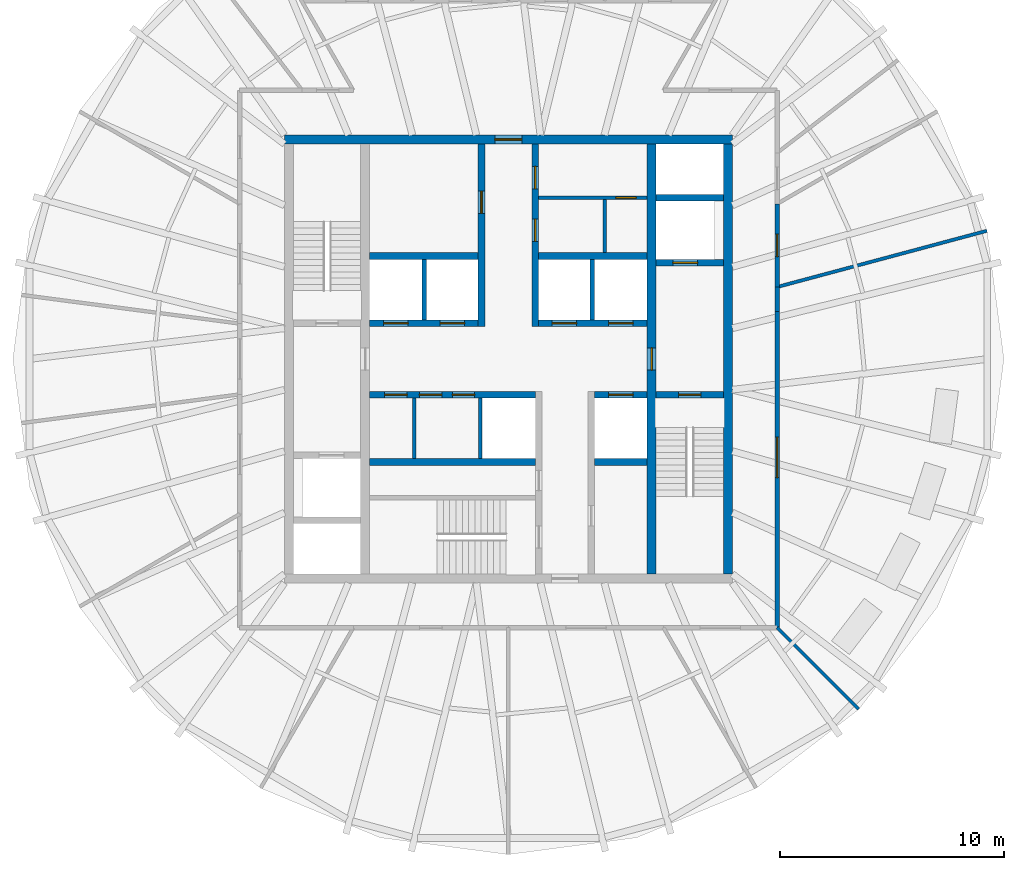
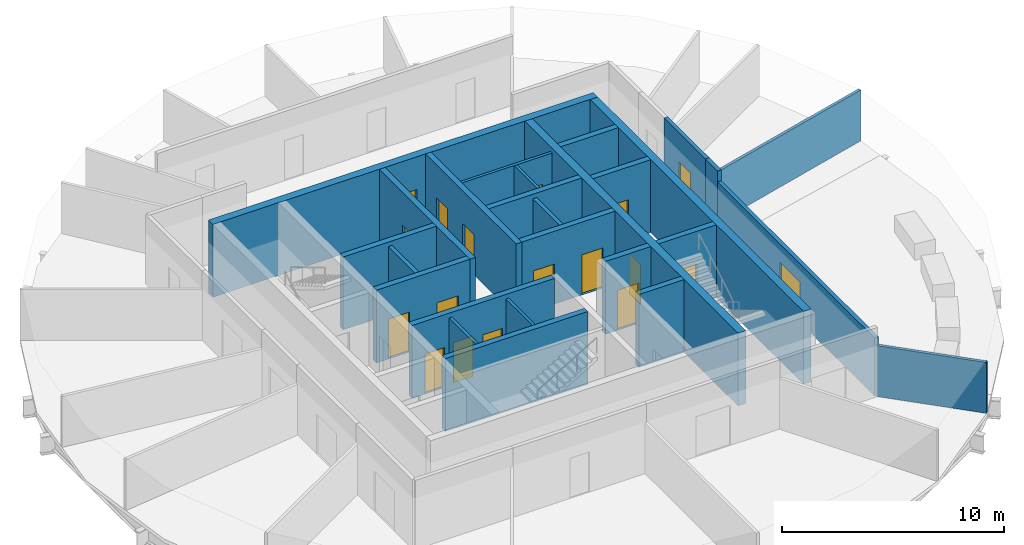
# One storey, part 4 of 7: 27 walls, 18 doors, 18 openings.
"""IFC4 building model written with IfcOpenShell, lengths in metres."""

from ifc_helpers import new_model, si_unit, direction, frame, frame_2d, origin, place, context, subcontext, project, spatial, rectangle, extrude, material, layer, layer_set, type_object, element, fill, save


model = new_model("IFC4")

# Units and contexts
model_context = context("Model", 3, precision=1e-05, world=origin(), true_north=direction((0.0, 1.0)))
body_context = subcontext(model_context, "Body", "Model", "MODEL_VIEW")
ifc_project = project(units=[si_unit("LENGTHUNIT", "METRE"), si_unit("AREAUNIT", "SQUARE_METRE"), si_unit("VOLUMEUNIT", "CUBIC_METRE"), si_unit("PLANEANGLEUNIT", "RADIAN"), si_unit("MASSUNIT", "GRAM", prefix="KILO")], contexts=[model_context])

# Site, building, storey
site_placement = place(None, origin())
site = spatial("IfcSite", under=ifc_project, at=site_placement, CompositionType="ELEMENT")
building_placement = place(site_placement, origin())
building = spatial("IfcBuilding", under=site, at=building_placement, Name="Golbaran Civic Tower", CompositionType="ELEMENT")
storey_placement = place(building_placement, frame((0.0, 0.0, 260.0)))
storey = spatial("IfcBuildingStorey", under=building, at=storey_placement, Name="L63", CompositionType="ELEMENT", Elevation=260.0)

# Wall, opening, door
ifc_material_1 = material(Name="Concrete block", Category="concrete")
ifc_layer_1 = layer(ifc_material_1, 0.14990234375, Name="Concrete block")
ifc_layer_set_1 = layer_set([ifc_layer_1], Name="Concrete block")
wall_type_1 = type_object("IfcWallType", Name="BLOCKWORK PARTITION 150", PredefinedType="PARTITIONING", material=ifc_layer_set_1)
wall_1_placement = place(storey_placement, frame((1.35009765625, 7.199951171875, 0.0), z_axis=(0.0, 0.0, 1.0), x_axis=(1.0, 0.0, 0.0)))
wall_1 = element("IfcWall", 1, at=wall_1_placement, inside=storey, type_object=wall_type_1, Name="Toilet block partition TN1 L63", PredefinedType="PARTITIONING", context=body_context, shape_type="SweptSolid", body=[
    extrude(rectangle(XDim=4.849853515625, YDim=0.14990234375, at=frame_2d((2.4248046875, 0.0))), origin(), (0.0, 0.0, 1.0), 3.75),
])
opening_1_placement = place(wall_1_placement, frame((3.449951171875, 0.0, 0.0)))
opening_1 = element("IfcOpeningElement", 2, at=opening_1_placement, cuts=wall_1, Name="Opening L63.CLN", PredefinedType="OPENING", context=body_context, shape_type="SweptSolid", body=[
    extrude(rectangle(XDim=0.89990234375, YDim=2.199951171875, at=frame_2d((0.449951171875, 1.10009765625))), frame((0.0, 0.0849609375, 0.0), z_axis=(0.0, -1.0, 0.0), x_axis=(1.0, 0.0, 0.0)), (0.0, 0.0, 1.0), 0.169921875),
])
ifc_material_2 = material(Name="Timber door set in steel frame", Category="steel")
door_type_1 = type_object("IfcDoorType", Name="RISER DOOR 900x2200", OperationType="SINGLE_SWING_LEFT", PredefinedType="DOOR", material=ifc_material_2)
door_1_placement = place(opening_1_placement, origin())
door_1 = element("IfcDoor", 3, at=door_1_placement, inside=storey, type_object=door_type_1, Name="Housekeeping Store door", OperationType="SINGLE_SWING_RIGHT", OverallHeight=2.199951171875, OverallWidth=0.89990234375, PredefinedType="DOOR", context=body_context, shape_type="SweptSolid", body=[
    extrude(rectangle(XDim=0.89990234375, YDim=2.199951171875, at=frame_2d((0.449951171875, 1.10009765625))), frame((0.0, 0.02490234375, 0.0), z_axis=(0.0, -1.0, 0.0), x_axis=(1.0, 0.0, 0.0)), (0.0, 0.0, 1.0), 0.050048828125),
])
fill(opening_1, door_1)

# Walls
wall_2_placement = place(storey_placement, frame((4.300048828125, 4.75, 0.0), z_axis=(0.0, 0.0, 1.0), x_axis=(0.0, 1.0, 0.0)))
element("IfcWall", 4, at=wall_2_placement, inside=storey, type_object=wall_type_1, Name="Toilet block partition TN2 L63", PredefinedType="PARTITIONING", context=body_context, shape_type="SweptSolid", body=[
    extrude(rectangle(XDim=2.375, YDim=0.14990234375, at=frame_2d((1.1875, 0.0))), origin(), (0.0, 0.0, 1.0), 3.75),
])
for number, where, z_axis, x_axis, name in (
    (5, (-4.199951171875, -1.75, 0.0), (0.0, 0.0, 1.0), (0.0, -1.0, 0.0), "Core room partition HP0 L63"),
    (6, (-1.25, -1.75, 0.0), (0.0, 0.0, 1.0), (0.0, -1.0, 0.0), "Lift H3 hoistway west wall L63"),
):
    element("IfcWall", number, at=place(storey_placement, frame(where, z_axis=z_axis, x_axis=x_axis)), inside=storey, type_object=wall_type_1, Name=name, PredefinedType="PARTITIONING", context=body_context, shape_type="SweptSolid", body=[
        extrude(rectangle(XDim=2.699951171875, YDim=0.14990234375, at=frame_2d((1.35009765625, 0.0))), origin(), (0.0, 0.0, 1.0), 3.75),
    ])

# Wall, opening, door
ifc_material_3 = material(Name="Concrete C50/60", Category="concrete")
ifc_layer_2 = layer(ifc_material_3, 0.39990234375, Name="Concrete C50/60")
ifc_layer_set_2 = layer_set([ifc_layer_2], Name="Concrete C50/60")
wall_type_2 = type_object("IfcWallType", Name="CORE WALL CONCRETE 400", PredefinedType="SOLIDWALL", material=ifc_layer_set_2)
wall_3_placement = place(storey_placement, frame((-10.0, 9.800048828125, 0.0), z_axis=(0.0, 0.0, 1.0), x_axis=(1.0, 0.0, 0.0)))
wall_3 = element("IfcWall", 7, at=wall_3_placement, inside=storey, type_object=wall_type_2, Name="Core wall CN L63", PredefinedType="SOLIDWALL", context=body_context, shape_type="SweptSolid", body=[
    extrude(rectangle(XDim=20.0, YDim=0.39990234375, at=frame_2d((10.0, 0.0))), origin(), (0.0, 0.0, 1.0), 4.0),
])
opening_2_placement = place(wall_3_placement, frame((9.39990234375, 0.0, 0.0)))
opening_2 = element("IfcOpeningElement", 8, at=opening_2_placement, cuts=wall_3, Name="Opening L63.CN", PredefinedType="OPENING", context=body_context, shape_type="SweptSolid", body=[
    extrude(rectangle(XDim=1.199951171875, YDim=2.199951171875, at=frame_2d((0.60009765625, 1.10009765625))), frame((0.0, 0.2099609375, 0.0), z_axis=(0.0, -1.0, 0.0), x_axis=(1.0, 0.0, 0.0)), (0.0, 0.0, 1.0), 0.419921875),
])
door_type_2 = type_object("IfcDoorType", Name="CORE DOOR 1200x2200", OperationType="DOUBLE_DOOR_SINGLE_SWING", PredefinedType="DOOR", material=ifc_material_2)
door_2_placement = place(opening_2_placement, origin())
door_2 = element("IfcDoor", 9, at=door_2_placement, inside=storey, type_object=door_type_2, Name="Core door north", OperationType="DOUBLE_DOOR_SINGLE_SWING", OverallHeight=2.199951171875, OverallWidth=1.199951171875, PredefinedType="DOOR", context=body_context, shape_type="SweptSolid", body=[
    extrude(rectangle(XDim=1.199951171875, YDim=2.199951171875, at=frame_2d((0.60009765625, 1.10009765625))), frame((0.0, 0.02490234375, 0.0), z_axis=(0.0, -1.0, 0.0), x_axis=(1.0, 0.0, 0.0)), (0.0, 0.0, 1.0), 0.050048828125),
])
fill(opening_2, door_2)

# Wall
wall_4_placement = place(storey_placement, frame((9.800048828125, -9.60009765625, 0.0), z_axis=(0.0, 0.0, 1.0), x_axis=(0.0, 1.0, 0.0)))
element("IfcWall", 10, at=wall_4_placement, inside=storey, type_object=wall_type_2, Name="Core wall CE L63", PredefinedType="SOLIDWALL", context=body_context, shape_type="SweptSolid", body=[
    extrude(rectangle(XDim=19.2001953125, YDim=0.39990234375, at=frame_2d((9.60009765625, 0.0))), origin(), (0.0, 0.0, 1.0), 4.0),
])

# Wall, opening, door
wall_5_placement = place(storey_placement, frame((6.39990234375, 9.60009765625, 0.0), z_axis=(0.0, 0.0, 1.0), x_axis=(0.0, -1.0, 0.0)))
wall_5 = element("IfcWall", 11, at=wall_5_placement, inside=storey, type_object=wall_type_2, Name="Core wall IE L63", PredefinedType="SOLIDWALL", context=body_context, shape_type="SweptSolid", body=[
    extrude(rectangle(XDim=19.2001953125, YDim=0.39990234375, at=frame_2d((9.60009765625, 0.0))), origin(), (0.0, 0.0, 1.0), 4.0),
])
opening_3_placement = place(wall_5_placement, frame((9.10009765625, 0.0, 0.0)))
opening_3 = element("IfcOpeningElement", 12, at=opening_3_placement, cuts=wall_5, Name="Opening L63.FL2", PredefinedType="OPENING", context=body_context, shape_type="SweptSolid", body=[
    extrude(rectangle(XDim=1.0, YDim=2.199951171875, at=frame_2d((0.5, 1.10009765625))), frame((0.0, 0.2099609375, 0.0), z_axis=(0.0, -1.0, 0.0), x_axis=(1.0, 0.0, 0.0)), (0.0, 0.0, 1.0), 0.419921875),
])
door_type_3 = type_object("IfcDoorType", Name="STAIR DOOR 1000x2200", OperationType="SINGLE_SWING_LEFT", PredefinedType="DOOR", material=ifc_material_2)
door_3_placement = place(opening_3_placement, origin())
door_3 = element("IfcDoor", 13, at=door_3_placement, inside=storey, type_object=door_type_3, Name="Fire-fighting lobby FL2 door", OperationType="SINGLE_SWING_RIGHT", OverallHeight=2.199951171875, OverallWidth=1.0, PredefinedType="DOOR", context=body_context, shape_type="SweptSolid", body=[
    extrude(rectangle(XDim=1.0, YDim=2.199951171875, at=frame_2d((0.5, 1.10009765625))), frame((0.0, 0.02490234375, 0.0), z_axis=(0.0, -1.0, 0.0), x_axis=(1.0, 0.0, 0.0)), (0.0, 0.0, 1.0), 0.050048828125),
])
fill(opening_3, door_3)

ifc_material_4 = material(Name="Gypsum board on steel studs, fire-rated", Category="steel")
ifc_layer_3 = layer(ifc_material_4, 0.199951171875, Name="Gypsum board on steel studs, fire-rated")
ifc_layer_set_3 = layer_set([ifc_layer_3], Name="Gypsum board on steel studs, fire-rated")
wall_type_3 = type_object("IfcWallType", Name="CORRIDOR WALL 200", PredefinedType="PARTITIONING", material=ifc_layer_set_3)
wall_6_placement = place(storey_placement, frame((12.0, -12.0, 0.0), z_axis=(0.0, 0.0, 1.0), x_axis=(0.0, 1.0, 0.0)))
wall_6 = element("IfcWall", 14, at=wall_6_placement, inside=storey, type_object=wall_type_3, Name="Corridor wall L63", PredefinedType="PARTITIONING", context=body_context, shape_type="SweptSolid", body=[
    extrude(rectangle(XDim=14.12255859375, YDim=0.199951171875, at=frame_2d((7.061279296875, 0.0))), origin(), (0.0, 0.0, 1.0), 3.199951171875),
])
opening_4_placement = place(wall_6_placement, frame((6.707763671875, 0.0, 0.0)))
opening_4 = element("IfcOpeningElement", 15, at=opening_4_placement, cuts=wall_6, Name="Opening L63.05", PredefinedType="OPENING", context=body_context, shape_type="SweptSolid", body=[
    extrude(rectangle(XDim=1.800048828125, YDim=2.199951171875, at=frame_2d((0.89990234375, 1.10009765625))), frame((0.0, 0.10986328125, 0.0), z_axis=(0.0, -1.0, 0.0), x_axis=(1.0, 0.0, 0.0)), (0.0, 0.0, 1.0), 0.219970703125),
])
door_type_4 = type_object("IfcDoorType", Name="OFFICE DOUBLE DOOR 1800x2200", OperationType="DOUBLE_DOOR_SINGLE_SWING", PredefinedType="DOOR", material=ifc_material_2)
door_4_placement = place(opening_4_placement, origin())
door_4 = element("IfcDoor", 16, at=door_4_placement, inside=storey, type_object=door_type_4, Name="Sky Garden door L63", OperationType="DOUBLE_DOOR_SINGLE_SWING", OverallHeight=2.199951171875, OverallWidth=1.800048828125, PredefinedType="DOOR", context=body_context, shape_type="SweptSolid", body=[
    extrude(rectangle(XDim=1.800048828125, YDim=2.199951171875, at=frame_2d((0.89990234375, 1.10009765625))), frame((0.0, 0.02490234375, 0.0), z_axis=(0.0, -1.0, 0.0), x_axis=(1.0, 0.0, 0.0)), (0.0, 0.0, 1.0), 0.050048828125),
])
fill(opening_4, door_4)

# Wall
wall_7_placement = place(storey_placement, frame((12.0, 2.12255859375, 0.0), z_axis=(0.0, 0.0, 1.0), x_axis=(0.0, 1.0, 0.0)))
element("IfcWall", 17, at=wall_7_placement, inside=storey, type_object=wall_type_3, Name="Corridor wall L63 (part 2)", PredefinedType="PARTITIONING", context=body_context, shape_type="SweptSolid", body=[
    extrude(rectangle(XDim=1.0927734375, YDim=0.199951171875, at=frame_2d((0.54638671875, 0.0))), origin(), (0.0, 0.0, 1.0), 3.800048828125),
])

# Wall, opening, door
wall_8_placement = place(storey_placement, frame((12.0, 3.21533203125, 0.0), z_axis=(0.0, 0.0, 1.0), x_axis=(0.0, 1.0, 0.0)))
wall_8 = element("IfcWall", 18, at=wall_8_placement, inside=storey, type_object=wall_type_3, Name="Corridor wall L63", PredefinedType="PARTITIONING", context=body_context, shape_type="SweptSolid", body=[
    extrude(rectangle(XDim=3.712890625, YDim=0.199951171875, at=frame_2d((1.8564453125, 0.0))), origin(), (0.0, 0.0, 1.0), 3.800048828125),
])
opening_5_placement = place(wall_8_placement, frame((1.3564453125, 0.0, 0.0)))
opening_5 = element("IfcOpeningElement", 19, at=opening_5_placement, cuts=wall_8, Name="Opening L63.06", PredefinedType="OPENING", context=body_context, shape_type="SweptSolid", body=[
    extrude(rectangle(XDim=1.0, YDim=2.199951171875, at=frame_2d((0.5, 1.10009765625))), frame((0.0, 0.10986328125, 0.0), z_axis=(0.0, -1.0, 0.0), x_axis=(1.0, 0.0, 0.0)), (0.0, 0.0, 1.0), 0.219970703125),
])
door_type_5 = type_object("IfcDoorType", Name="OFFICE DOOR 1000x2200", OperationType="SINGLE_SWING_LEFT", PredefinedType="DOOR", material=ifc_material_2)
door_5_placement = place(opening_5_placement, origin())
door_5 = element("IfcDoor", 20, at=door_5_placement, inside=storey, type_object=door_type_5, Name="Prayer Room door L63", OperationType="SINGLE_SWING_LEFT", OverallHeight=2.199951171875, OverallWidth=1.0, PredefinedType="DOOR", context=body_context, shape_type="SweptSolid", body=[
    extrude(rectangle(XDim=1.0, YDim=2.199951171875, at=frame_2d((0.5, 1.10009765625))), frame((0.0, 0.02490234375, 0.0), z_axis=(0.0, -1.0, 0.0), x_axis=(1.0, 0.0, 0.0)), (0.0, 0.0, 1.0), 0.050048828125),
])
fill(opening_5, door_5)

# Walls
ifc_layer_4 = layer(ifc_material_1, 0.199951171875, Name="Concrete block")
ifc_layer_set_4 = layer_set([ifc_layer_4], Name="Concrete block")
wall_type_4 = type_object("IfcWallType", Name="LIFT SEPARATOR WALL 200", PredefinedType="SOLIDWALL", material=ifc_layer_set_4)
for number, where, z_axis, x_axis, name in (
    (21, (-3.75, 1.75, 0.0), (0.0, 0.0, 1.0), (0.0, 1.0, 0.0), "Core partition SNW L63"),
    (22, (3.75, 1.75, 0.0), (0.0, 0.0, 1.0), (0.0, 1.0, 0.0), "Core partition SNE L63"),
):
    element("IfcWall", number, at=place(storey_placement, frame(where, z_axis=z_axis, x_axis=x_axis)), inside=storey, type_object=wall_type_4, Name=name, PredefinedType="SOLIDWALL", context=body_context, shape_type="SweptSolid", body=[
        extrude(rectangle(XDim=2.699951171875, YDim=0.199951171875, at=frame_2d((1.35009765625, 0.0))), origin(), (0.0, 0.0, 1.0), 3.75),
    ])
ifc_material_5 = material(Name="Gypsum board on steel studs", Category="steel")
ifc_layer_5 = layer(ifc_material_5, 0.14990234375, Name="Gypsum board on steel studs")
ifc_layer_set_5 = layer_set([ifc_layer_5], Name="Gypsum board on steel studs")
wall_type_5 = type_object("IfcWallType", Name="OFFICE PARTITION 150", PredefinedType="PARTITIONING", material=ifc_layer_set_5)
wall_9_placement = place(storey_placement, frame((12.0, -12.0, 0.0), z_axis=(0.0, 0.0, 1.0), x_axis=(0.707106781187, -0.707106781187, 0.0)))
element("IfcWall", 23, at=wall_9_placement, inside=storey, type_object=wall_type_5, Name="Partition 315 L63", PredefinedType="PARTITIONING", context=body_context, shape_type="SweptSolid", body=[
    extrude(rectangle(XDim=5.151611328125, YDim=0.14990234375, at=frame_2d((2.57568359375, 0.0))), origin(), (0.0, 0.0, 1.0), 2.7900390625),
])
wall_10_placement = place(storey_placement, frame((12.0, 3.21533203125, 0.0), z_axis=(0.0, 0.0, 1.0), x_axis=(0.965925916664, 0.258818707819, 0.0)))
element("IfcWall", 24, at=wall_10_placement, inside=storey, type_object=wall_type_5, Name="Partition 15 L63", PredefinedType="PARTITIONING", context=body_context, shape_type="SweptSolid", body=[
    extrude(rectangle(XDim=9.698974609375, YDim=0.14990234375, at=frame_2d((4.849609375, 0.0))), origin(), (0.0, 0.0, 1.0), 2.7900390625),
])

# Wall, openings, doors
ifc_layer_6 = layer(ifc_material_3, 0.300048828125, Name="Concrete C50/60")
ifc_layer_set_6 = layer_set([ifc_layer_6], Name="Concrete C50/60")
wall_type_6 = type_object("IfcWallType", Name="SHAFT WALL CONCRETE 300", PredefinedType="SOLIDWALL", material=ifc_layer_set_6)
wall_11_placement = place(storey_placement, frame((-6.199951171875, 1.60009765625, 0.0), z_axis=(0.0, 0.0, 1.0), x_axis=(1.0, 0.0, 0.0)))
wall_11 = element("IfcWall", 25, at=wall_11_placement, inside=storey, type_object=wall_type_6, Name="Core wall FNW L63", PredefinedType="SOLIDWALL", context=body_context, shape_type="SweptSolid", body=[
    extrude(rectangle(XDim=4.849853515625, YDim=0.300048828125, at=frame_2d((2.4248046875, 0.0))), origin(), (0.0, 0.0, 1.0), 4.0),
])
opening_6_placement = place(wall_11_placement, frame((0.625, 0.0, 0.0)))
opening_6 = element("IfcOpeningElement", 26, at=opening_6_placement, cuts=wall_11, Name="Opening L63.LD-Z1T", PredefinedType="OPENING", context=body_context, shape_type="SweptSolid", body=[
    extrude(rectangle(XDim=1.10009765625, YDim=2.199951171875, at=frame_2d((0.550048828125, 1.10009765625))), frame((0.0, 0.159912109375, 0.0), z_axis=(0.0, -1.0, 0.0), x_axis=(1.0, 0.0, 0.0)), (0.0, 0.0, 1.0), 0.320068359375),
])
opening_7_placement = place(wall_11_placement, frame((3.14990234375, 0.0, 0.0)))
opening_7 = element("IfcOpeningElement", 27, at=opening_7_placement, cuts=wall_11, Name="Opening L63.LD-Z2T", PredefinedType="OPENING", context=body_context, shape_type="SweptSolid", body=[
    extrude(rectangle(XDim=1.10009765625, YDim=2.199951171875, at=frame_2d((0.550048828125, 1.10009765625))), frame((0.0, 0.159912109375, 0.0), z_axis=(0.0, -1.0, 0.0), x_axis=(1.0, 0.0, 0.0)), (0.0, 0.0, 1.0), 0.320068359375),
])
ifc_material_6 = material(Name="Stainless steel", Category="steel")
door_type_6 = type_object("IfcDoorType", Name="LIFT LANDING DOOR 1100x2200", OperationType="SLIDING_TO_LEFT", PredefinedType="DOOR", material=ifc_material_6)
door_6_placement = place(opening_6_placement, origin())
door_6 = element("IfcDoor", 28, at=door_6_placement, inside=storey, type_object=door_type_6, Name="Lift landing door Z1T", OperationType="SLIDING_TO_LEFT", OverallHeight=2.199951171875, OverallWidth=1.10009765625, PredefinedType="DOOR", context=body_context, shape_type="SweptSolid", body=[
    extrude(rectangle(XDim=1.10009765625, YDim=2.199951171875, at=frame_2d((0.550048828125, 1.10009765625))), frame((0.0, 0.02490234375, 0.0), z_axis=(0.0, -1.0, 0.0), x_axis=(1.0, 0.0, 0.0)), (0.0, 0.0, 1.0), 0.050048828125),
])
fill(opening_6, door_6)
door_7_placement = place(opening_7_placement, origin())
door_7 = element("IfcDoor", 29, at=door_7_placement, inside=storey, type_object=door_type_6, Name="Lift landing door Z2T", OperationType="SLIDING_TO_LEFT", OverallHeight=2.199951171875, OverallWidth=1.10009765625, PredefinedType="DOOR", context=body_context, shape_type="SweptSolid", body=[
    extrude(rectangle(XDim=1.10009765625, YDim=2.199951171875, at=frame_2d((0.550048828125, 1.10009765625))), frame((0.0, 0.02490234375, 0.0), z_axis=(0.0, -1.0, 0.0), x_axis=(1.0, 0.0, 0.0)), (0.0, 0.0, 1.0), 0.050048828125),
])
fill(opening_7, door_7)

wall_12_placement = place(storey_placement, frame((1.35009765625, 1.60009765625, 0.0), z_axis=(0.0, 0.0, 1.0), x_axis=(1.0, 0.0, 0.0)))
wall_12 = element("IfcWall", 30, at=wall_12_placement, inside=storey, type_object=wall_type_6, Name="Core wall FNE L63", PredefinedType="SOLIDWALL", context=body_context, shape_type="SweptSolid", body=[
    extrude(rectangle(XDim=4.849853515625, YDim=0.300048828125, at=frame_2d((2.4248046875, 0.0))), origin(), (0.0, 0.0, 1.0), 4.0),
])
opening_8_placement = place(wall_12_placement, frame((0.60009765625, 0.0, 0.0)))
opening_8 = element("IfcOpeningElement", 31, at=opening_8_placement, cuts=wall_12, Name="Opening L63.LD-Z3T", PredefinedType="OPENING", context=body_context, shape_type="SweptSolid", body=[
    extrude(rectangle(XDim=1.10009765625, YDim=2.199951171875, at=frame_2d((0.550048828125, 1.10009765625))), frame((0.0, 0.159912109375, 0.0), z_axis=(0.0, -1.0, 0.0), x_axis=(1.0, 0.0, 0.0)), (0.0, 0.0, 1.0), 0.320068359375),
])
opening_9_placement = place(wall_12_placement, frame((3.125, 0.0, 0.0)))
opening_9 = element("IfcOpeningElement", 32, at=opening_9_placement, cuts=wall_12, Name="Opening L63.LD-Z4T", PredefinedType="OPENING", context=body_context, shape_type="SweptSolid", body=[
    extrude(rectangle(XDim=1.10009765625, YDim=2.199951171875, at=frame_2d((0.550048828125, 1.10009765625))), frame((0.0, 0.159912109375, 0.0), z_axis=(0.0, -1.0, 0.0), x_axis=(1.0, 0.0, 0.0)), (0.0, 0.0, 1.0), 0.320068359375),
])
door_8_placement = place(opening_8_placement, origin())
door_8 = element("IfcDoor", 33, at=door_8_placement, inside=storey, type_object=door_type_6, Name="Lift landing door Z3T", OperationType="SLIDING_TO_LEFT", OverallHeight=2.199951171875, OverallWidth=1.10009765625, PredefinedType="DOOR", context=body_context, shape_type="SweptSolid", body=[
    extrude(rectangle(XDim=1.10009765625, YDim=2.199951171875, at=frame_2d((0.550048828125, 1.10009765625))), frame((0.0, 0.02490234375, 0.0), z_axis=(0.0, -1.0, 0.0), x_axis=(1.0, 0.0, 0.0)), (0.0, 0.0, 1.0), 0.050048828125),
])
fill(opening_8, door_8)
door_9_placement = place(opening_9_placement, origin())
door_9 = element("IfcDoor", 34, at=door_9_placement, inside=storey, type_object=door_type_6, Name="Lift landing door Z4T", OperationType="SLIDING_TO_LEFT", OverallHeight=2.199951171875, OverallWidth=1.10009765625, PredefinedType="DOOR", context=body_context, shape_type="SweptSolid", body=[
    extrude(rectangle(XDim=1.10009765625, YDim=2.199951171875, at=frame_2d((0.550048828125, 1.10009765625))), frame((0.0, 0.02490234375, 0.0), z_axis=(0.0, -1.0, 0.0), x_axis=(1.0, 0.0, 0.0)), (0.0, 0.0, 1.0), 0.050048828125),
])
fill(opening_9, door_9)

# Walls
for number, where, z_axis, x_axis, name in (
    (35, (-6.199951171875, 4.60009765625, 0.0), (0.0, 0.0, 1.0), (1.0, 0.0, 0.0), "Core wall BNW L63"),
    (36, (1.35009765625, 4.60009765625, 0.0), (0.0, 0.0, 1.0), (1.0, 0.0, 0.0), "Core wall BNE L63"),
):
    element("IfcWall", number, at=place(storey_placement, frame(where, z_axis=z_axis, x_axis=x_axis)), inside=storey, type_object=wall_type_6, Name=name, PredefinedType="SOLIDWALL", context=body_context, shape_type="SweptSolid", body=[
        extrude(rectangle(XDim=4.849853515625, YDim=0.300048828125, at=frame_2d((2.4248046875, 0.0))), origin(), (0.0, 0.0, 1.0), 4.0),
    ])

# Wall, opening, door
wall_13_placement = place(storey_placement, frame((-1.199951171875, 1.449951171875, 0.0), z_axis=(0.0, 0.0, 1.0), x_axis=(0.0, 1.0, 0.0)))
wall_13 = element("IfcWall", 37, at=wall_13_placement, inside=storey, type_object=wall_type_6, Name="Core wall PNW L63", PredefinedType="SOLIDWALL", context=body_context, shape_type="SweptSolid", body=[
    extrude(rectangle(XDim=8.150146484375, YDim=0.300048828125, at=frame_2d((4.0751953125, 0.0))), origin(), (0.0, 0.0, 1.0), 4.0),
])
opening_10_placement = place(wall_13_placement, frame((5.050048828125, 0.0, 0.0)))
opening_10 = element("IfcOpeningElement", 38, at=opening_10_placement, cuts=wall_13, Name="Opening L63.WCM", PredefinedType="OPENING", context=body_context, shape_type="SweptSolid", body=[
    extrude(rectangle(XDim=1.0, YDim=2.199951171875, at=frame_2d((0.5, 1.10009765625))), frame((0.0, 0.159912109375, 0.0), z_axis=(0.0, -1.0, 0.0), x_axis=(1.0, 0.0, 0.0)), (0.0, 0.0, 1.0), 0.320068359375),
])
door_type_7 = type_object("IfcDoorType", Name="TOILET DOOR 1000x2200", OperationType="SINGLE_SWING_LEFT", PredefinedType="DOOR", material=ifc_material_2)
door_10_placement = place(opening_10_placement, origin())
door_10 = element("IfcDoor", 39, at=door_10_placement, inside=storey, type_object=door_type_7, Name="North-west toilet block door", OperationType="SINGLE_SWING_RIGHT", OverallHeight=2.199951171875, OverallWidth=1.0, PredefinedType="DOOR", context=body_context, shape_type="SweptSolid", body=[
    extrude(rectangle(XDim=1.0, YDim=2.199951171875, at=frame_2d((0.5, 1.10009765625))), frame((0.0, 0.02490234375, 0.0), z_axis=(0.0, -1.0, 0.0), x_axis=(1.0, 0.0, 0.0)), (0.0, 0.0, 1.0), 0.050048828125),
])
fill(opening_10, door_10)

# Wall, openings, doors
wall_14_placement = place(storey_placement, frame((1.199951171875, 1.449951171875, 0.0), z_axis=(0.0, 0.0, 1.0), x_axis=(0.0, 1.0, 0.0)))
wall_14 = element("IfcWall", 40, at=wall_14_placement, inside=storey, type_object=wall_type_6, Name="Core wall PNE L63", PredefinedType="SOLIDWALL", context=body_context, shape_type="SweptSolid", body=[
    extrude(rectangle(XDim=8.150146484375, YDim=0.300048828125, at=frame_2d((4.0751953125, 0.0))), origin(), (0.0, 0.0, 1.0), 4.0),
])
opening_11_placement = place(wall_14_placement, frame((3.800048828125, 0.0, 0.0)))
opening_11 = element("IfcOpeningElement", 41, at=opening_11_placement, cuts=wall_14, Name="Opening L63.WCA", PredefinedType="OPENING", context=body_context, shape_type="SweptSolid", body=[
    extrude(rectangle(XDim=1.0, YDim=2.199951171875, at=frame_2d((0.5, 1.10009765625))), frame((0.0, 0.159912109375, 0.0), z_axis=(0.0, -1.0, 0.0), x_axis=(1.0, 0.0, 0.0)), (0.0, 0.0, 1.0), 0.320068359375),
])
opening_12_placement = place(wall_14_placement, frame((6.14990234375, 0.0, 0.0)))
opening_12 = element("IfcOpeningElement", 42, at=opening_12_placement, cuts=wall_14, Name="Opening L63.WCF", PredefinedType="OPENING", context=body_context, shape_type="SweptSolid", body=[
    extrude(rectangle(XDim=1.0, YDim=2.199951171875, at=frame_2d((0.5, 1.10009765625))), frame((0.0, 0.159912109375, 0.0), z_axis=(0.0, -1.0, 0.0), x_axis=(1.0, 0.0, 0.0)), (0.0, 0.0, 1.0), 0.320068359375),
])
door_11_placement = place(opening_11_placement, origin())
door_11 = element("IfcDoor", 43, at=door_11_placement, inside=storey, type_object=door_type_7, Name="Accessible WC door", OperationType="SINGLE_SWING_RIGHT", OverallHeight=2.199951171875, OverallWidth=1.0, PredefinedType="DOOR", context=body_context, shape_type="SweptSolid", body=[
    extrude(rectangle(XDim=1.0, YDim=2.199951171875, at=frame_2d((0.5, 1.10009765625))), frame((0.0, 0.02490234375, 0.0), z_axis=(0.0, -1.0, 0.0), x_axis=(1.0, 0.0, 0.0)), (0.0, 0.0, 1.0), 0.050048828125),
])
fill(opening_11, door_11)
door_12_placement = place(opening_12_placement, origin())
door_12 = element("IfcDoor", 44, at=door_12_placement, inside=storey, type_object=door_type_7, Name="North-east toilet block door", OperationType="SINGLE_SWING_RIGHT", OverallHeight=2.199951171875, OverallWidth=1.0, PredefinedType="DOOR", context=body_context, shape_type="SweptSolid", body=[
    extrude(rectangle(XDim=1.0, YDim=2.199951171875, at=frame_2d((0.5, 1.10009765625))), frame((0.0, 0.02490234375, 0.0), z_axis=(0.0, -1.0, 0.0), x_axis=(1.0, 0.0, 0.0)), (0.0, 0.0, 1.0), 0.050048828125),
])
fill(opening_12, door_12)

wall_15_placement = place(storey_placement, frame((-6.199951171875, -1.60009765625, 0.0), z_axis=(0.0, 0.0, 1.0), x_axis=(1.0, 0.0, 0.0)))
wall_15 = element("IfcWall", 45, at=wall_15_placement, inside=storey, type_object=wall_type_6, Name="Core wall FSW L63", PredefinedType="SOLIDWALL", context=body_context, shape_type="SweptSolid", body=[
    extrude(rectangle(XDim=7.39990234375, YDim=0.300048828125, at=frame_2d((3.699951171875, 0.0))), origin(), (0.0, 0.0, 1.0), 4.0),
])
opening_13_placement = place(wall_15_placement, frame((0.675048828125, 0.0, 0.0)))
opening_13 = element("IfcOpeningElement", 46, at=opening_13_placement, cuts=wall_15, Name="Opening L63.H1R", PredefinedType="OPENING", context=body_context, shape_type="SweptSolid", body=[
    extrude(rectangle(XDim=1.0, YDim=2.199951171875, at=frame_2d((0.5, 1.10009765625))), frame((0.0, 0.159912109375, 0.0), z_axis=(0.0, -1.0, 0.0), x_axis=(1.0, 0.0, 0.0)), (0.0, 0.0, 1.0), 0.320068359375),
])
opening_14_placement = place(wall_15_placement, frame((2.22509765625, 0.0, 0.0)))
opening_14 = element("IfcOpeningElement", 47, at=opening_14_placement, cuts=wall_15, Name="Opening L63.H2R", PredefinedType="OPENING", context=body_context, shape_type="SweptSolid", body=[
    extrude(rectangle(XDim=1.0, YDim=2.199951171875, at=frame_2d((0.5, 1.10009765625))), frame((0.0, 0.159912109375, 0.0), z_axis=(0.0, -1.0, 0.0), x_axis=(1.0, 0.0, 0.0)), (0.0, 0.0, 1.0), 0.320068359375),
])
opening_15_placement = place(wall_15_placement, frame((3.695068359375, 0.0, 0.0)))
opening_15 = element("IfcOpeningElement", 48, at=opening_15_placement, cuts=wall_15, Name="Opening L63.H3R", PredefinedType="OPENING", context=body_context, shape_type="SweptSolid", body=[
    extrude(rectangle(XDim=1.0, YDim=2.199951171875, at=frame_2d((0.5, 1.10009765625))), frame((0.0, 0.159912109375, 0.0), z_axis=(0.0, -1.0, 0.0), x_axis=(1.0, 0.0, 0.0)), (0.0, 0.0, 1.0), 0.320068359375),
])
door_type_8 = type_object("IfcDoorType", Name="CORE ROOM DOOR 1000x2200", OperationType="SINGLE_SWING_LEFT", PredefinedType="DOOR", material=ifc_material_2)
door_13_placement = place(opening_13_placement, origin())
door_13 = element("IfcDoor", 49, at=door_13_placement, inside=storey, type_object=door_type_8, Name="Floor Store door", OperationType="SINGLE_SWING_LEFT", OverallHeight=2.199951171875, OverallWidth=1.0, PredefinedType="DOOR", context=body_context, shape_type="SweptSolid", body=[
    extrude(rectangle(XDim=1.0, YDim=2.199951171875, at=frame_2d((0.5, 1.10009765625))), frame((0.0, 0.02490234375, 0.0), z_axis=(0.0, -1.0, 0.0), x_axis=(1.0, 0.0, 0.0)), (0.0, 0.0, 1.0), 0.050048828125),
])
fill(opening_13, door_13)
door_14_placement = place(opening_14_placement, origin())
door_14 = element("IfcDoor", 50, at=door_14_placement, inside=storey, type_object=door_type_8, Name="Mail and Print Room door", OperationType="SINGLE_SWING_LEFT", OverallHeight=2.199951171875, OverallWidth=1.0, PredefinedType="DOOR", context=body_context, shape_type="SweptSolid", body=[
    extrude(rectangle(XDim=1.0, YDim=2.199951171875, at=frame_2d((0.5, 1.10009765625))), frame((0.0, 0.02490234375, 0.0), z_axis=(0.0, -1.0, 0.0), x_axis=(1.0, 0.0, 0.0)), (0.0, 0.0, 1.0), 0.050048828125),
])
fill(opening_14, door_14)
door_15_placement = place(opening_15_placement, origin())
door_15 = element("IfcDoor", 51, at=door_15_placement, inside=storey, type_object=door_type_8, Name="Mail and Print Room door", OperationType="SINGLE_SWING_RIGHT", OverallHeight=2.199951171875, OverallWidth=1.0, PredefinedType="DOOR", context=body_context, shape_type="SweptSolid", body=[
    extrude(rectangle(XDim=1.0, YDim=2.199951171875, at=frame_2d((0.5, 1.10009765625))), frame((0.0, 0.02490234375, 0.0), z_axis=(0.0, -1.0, 0.0), x_axis=(1.0, 0.0, 0.0)), (0.0, 0.0, 1.0), 0.050048828125),
])
fill(opening_15, door_15)

# Wall, opening, door
wall_16_placement = place(storey_placement, frame((3.85009765625, -1.60009765625, 0.0), z_axis=(0.0, 0.0, 1.0), x_axis=(1.0, 0.0, 0.0)))
wall_16 = element("IfcWall", 52, at=wall_16_placement, inside=storey, type_object=wall_type_6, Name="Core wall FSE L63", PredefinedType="SOLIDWALL", context=body_context, shape_type="SweptSolid", body=[
    extrude(rectangle(XDim=2.349853515625, YDim=0.300048828125, at=frame_2d((1.1748046875, 0.0))), origin(), (0.0, 0.0, 1.0), 4.0),
])
opening_16_placement = place(wall_16_placement, frame((0.625, 0.0, 0.0)))
opening_16 = element("IfcOpeningElement", 53, at=opening_16_placement, cuts=wall_16, Name="Opening L63.LD-V1", PredefinedType="OPENING", context=body_context, shape_type="SweptSolid", body=[
    extrude(rectangle(XDim=1.10009765625, YDim=2.199951171875, at=frame_2d((0.550048828125, 1.10009765625))), frame((0.0, 0.159912109375, 0.0), z_axis=(0.0, -1.0, 0.0), x_axis=(1.0, 0.0, 0.0)), (0.0, 0.0, 1.0), 0.320068359375),
])
door_16_placement = place(opening_16_placement, origin())
door_16 = element("IfcDoor", 54, at=door_16_placement, inside=storey, type_object=door_type_6, Name="Lift landing door V1", OperationType="SLIDING_TO_LEFT", OverallHeight=2.199951171875, OverallWidth=1.10009765625, PredefinedType="DOOR", context=body_context, shape_type="SweptSolid", body=[
    extrude(rectangle(XDim=1.10009765625, YDim=2.199951171875, at=frame_2d((0.550048828125, 1.10009765625))), frame((0.0, 0.02490234375, 0.0), z_axis=(0.0, -1.0, 0.0), x_axis=(1.0, 0.0, 0.0)), (0.0, 0.0, 1.0), 0.050048828125),
])
fill(opening_16, door_16)

# Walls
wall_17_placement = place(storey_placement, frame((-6.199951171875, -4.60009765625, 0.0), z_axis=(0.0, 0.0, 1.0), x_axis=(1.0, 0.0, 0.0)))
element("IfcWall", 55, at=wall_17_placement, inside=storey, type_object=wall_type_6, Name="Core wall BSW L63", PredefinedType="SOLIDWALL", context=body_context, shape_type="SweptSolid", body=[
    extrude(rectangle(XDim=7.39990234375, YDim=0.300048828125, at=frame_2d((3.699951171875, 0.0))), origin(), (0.0, 0.0, 1.0), 4.0),
])
wall_18_placement = place(storey_placement, frame((3.85009765625, -4.60009765625, 0.0), z_axis=(0.0, 0.0, 1.0), x_axis=(1.0, 0.0, 0.0)))
element("IfcWall", 56, at=wall_18_placement, inside=storey, type_object=wall_type_6, Name="Core wall BSE L63", PredefinedType="SOLIDWALL", context=body_context, shape_type="SweptSolid", body=[
    extrude(rectangle(XDim=2.349853515625, YDim=0.300048828125, at=frame_2d((1.1748046875, 0.0))), origin(), (0.0, 0.0, 1.0), 4.0),
])

# Wall, opening, door
wall_19_placement = place(storey_placement, frame((6.60009765625, -1.60009765625, 0.0), z_axis=(0.0, 0.0, 1.0), x_axis=(1.0, 0.0, 0.0)))
wall_19 = element("IfcWall", 57, at=wall_19_placement, inside=storey, type_object=wall_type_6, Name="Core wall XE1 L63", PredefinedType="SOLIDWALL", context=body_context, shape_type="SweptSolid", body=[
    extrude(rectangle(XDim=3.0, YDim=0.300048828125, at=frame_2d((1.5, 0.0))), origin(), (0.0, 0.0, 1.0), 4.0),
])
opening_17_placement = place(wall_19_placement, frame((1.0, 0.0, 0.0)))
opening_17 = element("IfcOpeningElement", 58, at=opening_17_placement, cuts=wall_19, Name="Opening L63.S2", PredefinedType="OPENING", context=body_context, shape_type="SweptSolid", body=[
    extrude(rectangle(XDim=1.0, YDim=2.199951171875, at=frame_2d((0.5, 1.10009765625))), frame((0.0, 0.159912109375, 0.0), z_axis=(0.0, -1.0, 0.0), x_axis=(1.0, 0.0, 0.0)), (0.0, 0.0, 1.0), 0.320068359375),
])
door_17_placement = place(opening_17_placement, origin())
door_17 = element("IfcDoor", 59, at=door_17_placement, inside=storey, type_object=door_type_3, Name="Stair S2 door", OperationType="SINGLE_SWING_LEFT", OverallHeight=2.199951171875, OverallWidth=1.0, PredefinedType="DOOR", context=body_context, shape_type="SweptSolid", body=[
    extrude(rectangle(XDim=1.0, YDim=2.199951171875, at=frame_2d((0.5, 1.10009765625))), frame((0.0, 0.02490234375, 0.0), z_axis=(0.0, -1.0, 0.0), x_axis=(1.0, 0.0, 0.0)), (0.0, 0.0, 1.0), 0.050048828125),
])
fill(opening_17, door_17)

wall_20_placement = place(storey_placement, frame((6.60009765625, 4.300048828125, 0.0), z_axis=(0.0, 0.0, 1.0), x_axis=(1.0, 0.0, 0.0)))
wall_20 = element("IfcWall", 60, at=wall_20_placement, inside=storey, type_object=wall_type_6, Name="Core wall XE2 L63", PredefinedType="SOLIDWALL", context=body_context, shape_type="SweptSolid", body=[
    extrude(rectangle(XDim=3.0, YDim=0.300048828125, at=frame_2d((1.5, 0.0))), origin(), (0.0, 0.0, 1.0), 4.0),
])
opening_18_placement = place(wall_20_placement, frame((0.75, 0.0, 0.0)))
opening_18 = element("IfcOpeningElement", 61, at=opening_18_placement, cuts=wall_20, Name="Opening L63.LD-F2", PredefinedType="OPENING", context=body_context, shape_type="SweptSolid", body=[
    extrude(rectangle(XDim=1.10009765625, YDim=2.199951171875, at=frame_2d((0.550048828125, 1.10009765625))), frame((0.0, 0.159912109375, 0.0), z_axis=(0.0, -1.0, 0.0), x_axis=(1.0, 0.0, 0.0)), (0.0, 0.0, 1.0), 0.320068359375),
])
door_18_placement = place(opening_18_placement, origin())
door_18 = element("IfcDoor", 62, at=door_18_placement, inside=storey, type_object=door_type_6, Name="Lift landing door F2", OperationType="SLIDING_TO_LEFT", OverallHeight=2.199951171875, OverallWidth=1.10009765625, PredefinedType="DOOR", context=body_context, shape_type="SweptSolid", body=[
    extrude(rectangle(XDim=1.10009765625, YDim=2.199951171875, at=frame_2d((0.550048828125, 1.10009765625))), frame((0.0, 0.02490234375, 0.0), z_axis=(0.0, -1.0, 0.0), x_axis=(1.0, 0.0, 0.0)), (0.0, 0.0, 1.0), 0.050048828125),
])
fill(opening_18, door_18)

# Wall
wall_21_placement = place(storey_placement, frame((6.60009765625, 7.199951171875, 0.0), z_axis=(0.0, 0.0, 1.0), x_axis=(1.0, 0.0, 0.0)))
element("IfcWall", 63, at=wall_21_placement, inside=storey, type_object=wall_type_6, Name="Core wall XE3 L63", PredefinedType="SOLIDWALL", context=body_context, shape_type="SweptSolid", body=[
    extrude(rectangle(XDim=3.0, YDim=0.300048828125, at=frame_2d((1.5, 0.0))), origin(), (0.0, 0.0, 1.0), 4.0),
])

save(model, "model.ifc")
